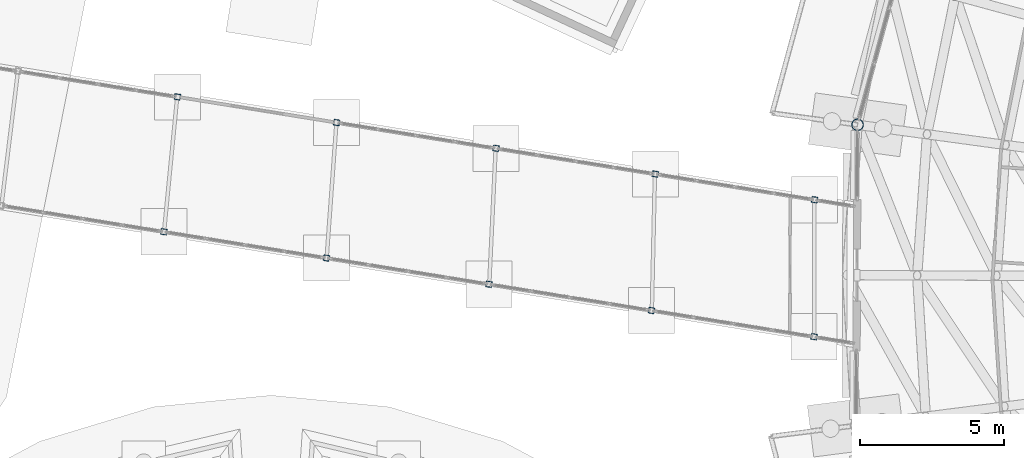
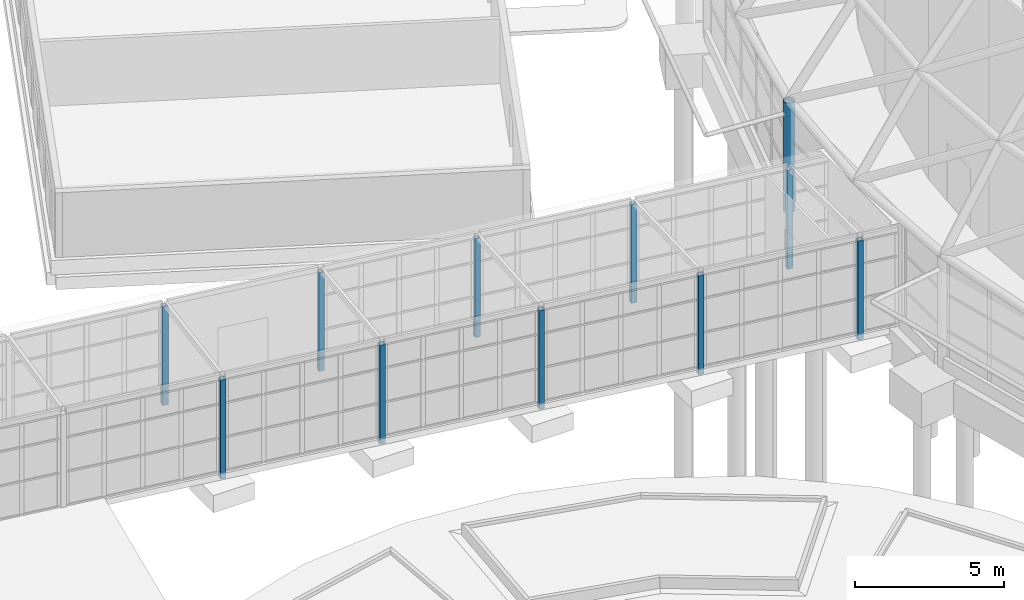
# One storey, part 26 of 226: 11 columns.
"""IFC4 building model written with IfcOpenShell, lengths in metres."""

from ifc_helpers import new_model, si_unit, direction, frame, origin, origin_2d, place, context, subcontext, project, spatial, hollow_rectangle, hollow_circle, extrude, material, material_profile, profile_set, type_object, element, save


model = new_model("IFC4")

# Units and contexts
model_context = context("Model", 3, precision=1e-05, world=origin(), true_north=direction((0.0, 1.0)))
body_context = subcontext(model_context, "Body", "Model", "MODEL_VIEW")
ifc_project = project(units=[si_unit("LENGTHUNIT", "METRE"), si_unit("AREAUNIT", "SQUARE_METRE"), si_unit("VOLUMEUNIT", "CUBIC_METRE"), si_unit("PLANEANGLEUNIT", "RADIAN"), si_unit("MASSUNIT", "GRAM", prefix="KILO")], contexts=[model_context])

# Site, building, storey
site_placement = place(None, origin())
site = spatial("IfcSite", under=ifc_project, at=site_placement, CompositionType="ELEMENT")
building_placement = place(site_placement, origin())
building = spatial("IfcBuilding", under=site, at=building_placement, Name="Ceibo Conservatory and Research Tower", CompositionType="ELEMENT")
storey_placement = place(building_placement, origin())
storey = spatial("IfcBuildingStorey", under=building, at=storey_placement, Name="L00", CompositionType="ELEMENT", Elevation=0.0)

# Columns
ifc_material_1 = material(Name="Steel ASTM A500 Gr C", Category="steel")
ifc_material_profile_1 = material_profile(ifc_material_1, hollow_circle(Radius=0.203125, WallThickness=0.0126953125, at=origin_2d()), Name="CHS column 406.4x12.70")
ifc_profile_set_1 = profile_set([ifc_material_profile_1], Name="Steel ASTM A500 Gr C")
column_type_1 = type_object("IfcColumnType", Name="CHS column 406.4x12.70", PredefinedType="COLUMN", material=ifc_profile_set_1)
column_placement = place(storey_placement, frame((116.365478515625, 113.39404296875, 0.0), z_axis=(0.0, 0.0, 1.0), x_axis=(1.0, 0.0, 0.0)))
element("IfcColumn", 1, at=column_placement, inside=storey, type_object=column_type_1, Name="Drum column A-DC12", PredefinedType="COLUMN", context=body_context, shape_type="SweptSolid", body=[
    extrude(hollow_circle(Radius=0.203125, WallThickness=0.0126953125, at=origin_2d()), origin(), (0.0, 0.0, 1.0), 4.5),
])
ifc_material_2 = material(Name="Steel S355J2H", Category="steel")
ifc_material_profile_2 = material_profile(ifc_material_2, hollow_rectangle(XDim=0.199951171875, YDim=0.199951171875, WallThickness=0.010009765625, at=origin_2d()), Name="RHS column 200x200x10")
ifc_profile_set_2 = profile_set([ifc_material_profile_2], Name="Steel S355J2H")
column_type_2 = type_object("IfcColumnType", Name="RHS column 200x200x10", PredefinedType="COLUMN", material=ifc_profile_set_2)
for number, where, z_axis, x_axis, name in (
    (2, (114.851318359375, 106.033447265625, -0.25), (0.0, 0.0, 1.0), (-0.987215515464, 0.159391110254, 0.0), "Gallery column A-RT-CN01"),
    (3, (114.8720703125, 110.790771484375, -0.25), (0.0, 0.0, 1.0), (-0.987215515464, 0.159391110254, 0.0), "Gallery column A-RT-CS01"),
    (4, (109.206298828125, 106.94482421875, -0.25), (0.0, 0.0, 1.0), (-0.987215515464, 0.159391110254, 0.0), "Gallery column A-RT-CN02"),
    (5, (109.339111328125, 111.68408203125, -0.25), (0.0, 0.0, 1.0), (-0.987215515464, 0.159391110254, 0.0), "Gallery column A-RT-CS02"),
    (6, (103.561279296875, 107.856201171875, -0.25), (0.0, 0.0, 1.0), (-0.987215515464, 0.159391110254, 0.0), "Gallery column A-RT-CN03"),
    (7, (103.80615234375, 112.57763671875, -0.25), (0.0, 0.0, 1.0), (-0.987215515464, 0.159391110254, 0.0), "Gallery column A-RT-CS03"),
    (8, (97.916259765625, 108.767578125, -0.25), (0.0, 0.0, 1.0), (-0.987215515464, 0.159391110254, 0.0), "Gallery column A-RT-CN04"),
    (9, (98.2734375, 113.470947265625, -0.25), (0.0, 0.0, 1.0), (-0.987215515464, 0.159391110254, 0.0), "Gallery column A-RT-CS04"),
    (10, (92.271240234375, 109.678955078125, -0.25), (0.0, 0.0, 1.0), (-0.987215515464, 0.159391110254, 0.0), "Gallery column A-RT-CN05"),
    (11, (92.740478515625, 114.3642578125, -0.25), (0.0, 0.0, 1.0), (-0.987215515464, 0.159391110254, 0.0), "Gallery column A-RT-CS05"),
):
    element("IfcColumn", number, at=place(storey_placement, frame(where, z_axis=z_axis, x_axis=x_axis)), inside=storey, type_object=column_type_2, Name=name, PredefinedType="COLUMN", context=body_context, shape_type="SweptSolid", body=[
        extrude(hollow_rectangle(XDim=0.199951171875, YDim=0.199951171875, WallThickness=0.010009765625, at=origin_2d()), origin(), (0.0, 0.0, 1.0), 4.050048828125),
    ])

save(model, "model.ifc")
